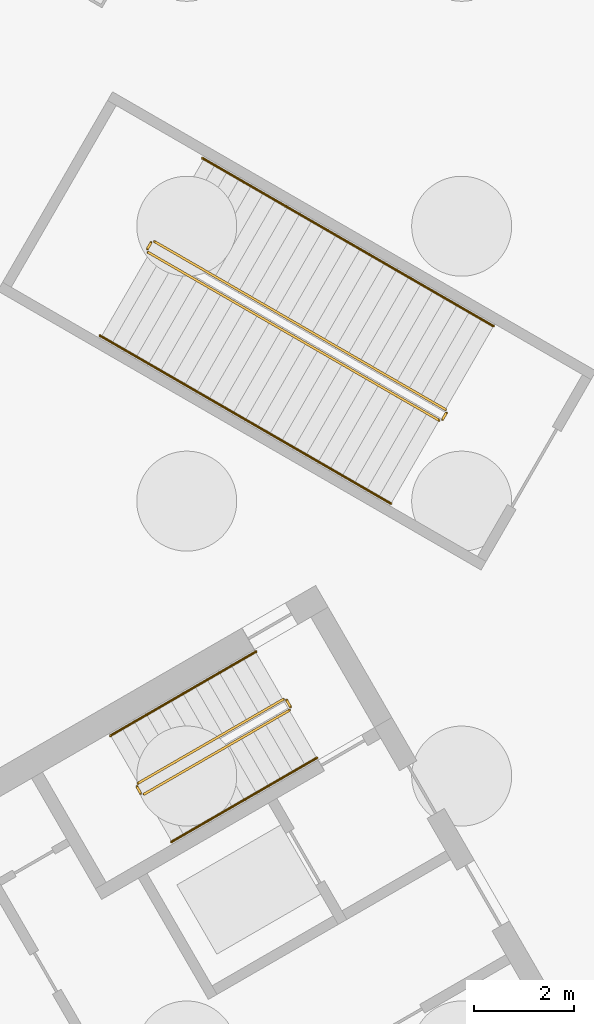
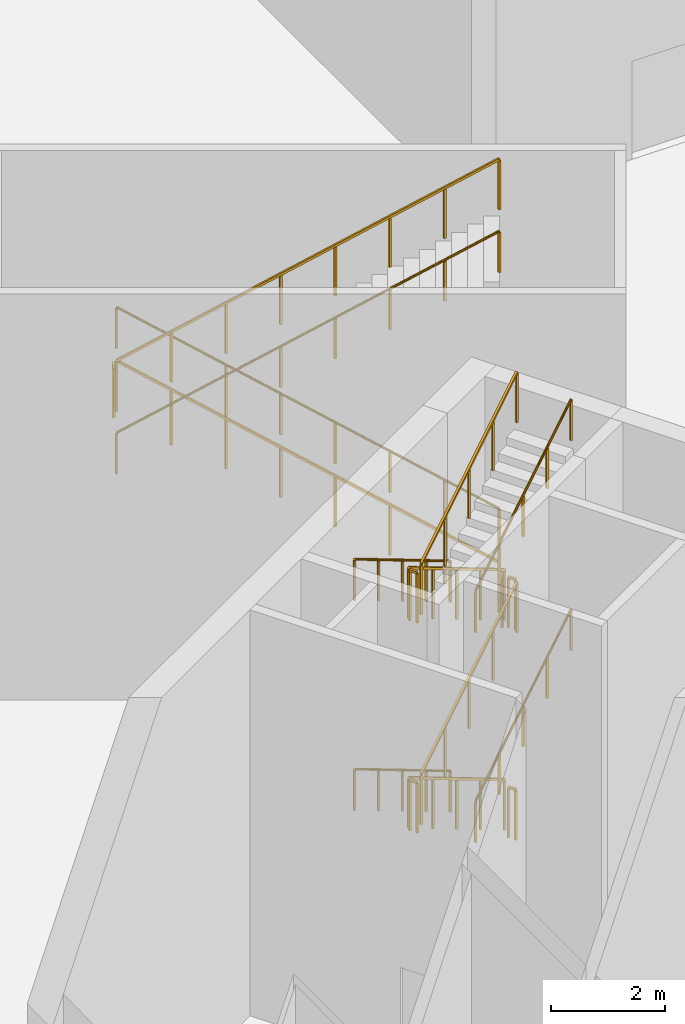
# One storey, part 7 of 10: 18 railings.
"""IFC4 building model written with IfcOpenShell, lengths in metres."""

from ifc_helpers import new_model, si_unit, direction, frame, origin, origin_2d, place, context, subcontext, project, spatial, rectangle, circle, extrude, material, type_object, element, save


model = new_model("IFC4")

# Units and contexts
model_context = context("Model", 3, precision=1e-05, world=origin(), true_north=direction((0.0, 1.0)))
body_context = subcontext(model_context, "Body", "Model", "MODEL_VIEW")
ifc_project = project(units=[si_unit("LENGTHUNIT", "METRE"), si_unit("AREAUNIT", "SQUARE_METRE"), si_unit("VOLUMEUNIT", "CUBIC_METRE"), si_unit("PLANEANGLEUNIT", "RADIAN"), si_unit("MASSUNIT", "GRAM", prefix="KILO")], contexts=[model_context])

# Site, building, storey
site_placement = place(None, origin())
site = spatial("IfcSite", under=ifc_project, at=site_placement, CompositionType="ELEMENT")
building_placement = place(site_placement, origin())
building = spatial("IfcBuilding", under=site, at=building_placement, Name="Apuvela Tower Hotel", CompositionType="ELEMENT")
storey_placement = place(building_placement, origin())
storey = spatial("IfcBuildingStorey", under=building, at=storey_placement, Name="L00", CompositionType="ELEMENT", Elevation=0.0)

# Railings
ifc_material_1 = material(Name="Steel S275 balustrade", Category="steel")
railing_type_1 = type_object("IfcRailingType", Name="COR-GUARD-1100", PredefinedType="GUARDRAIL", material=ifc_material_1)
railing_1_placement = place(storey_placement, frame((-14.569091796875, -3.9658203125, 0.173095703125)))
element("IfcRailing", 1, at=railing_1_placement, inside=storey, type_object=railing_type_1, Name="L00 ST2 stair guard 1", PredefinedType="GUARDRAIL", context=body_context, shape_type="SweptSolid", body=[
    extrude(rectangle(XDim=0.048095703125, YDim=0.048095703125, at=origin_2d()), frame((0.0, 0.0, 1.076171875), z_axis=(-0.736639687092, -0.425307743487, 0.525809180911), x_axis=(0.500007602105, -0.866021014662, 0.0)), (0.0, 0.0, 1.0), 3.949951171875),
    extrude(rectangle(XDim=0.0419921875, YDim=0.0419921875, at=origin_2d()), origin(), (0.0, 0.0, 1.0), 1.052001953125),
    extrude(rectangle(XDim=0.0419921875, YDim=0.0419921875, at=origin_2d()), frame((-0.7275390625, -0.419921875, 0.519287109375)), (0.0, 0.0, 1.0), 1.052001953125),
    extrude(rectangle(XDim=0.0419921875, YDim=0.0419921875, at=origin_2d()), frame((-1.454833984375, -0.83984375, 1.03857421875)), (0.0, 0.0, 1.0), 1.052001953125),
    extrude(rectangle(XDim=0.0419921875, YDim=0.0419921875, at=origin_2d()), frame((-2.18212890625, -1.260009765625, 1.5576171875)), (0.0, 0.0, 1.0), 1.052001953125),
    extrude(rectangle(XDim=0.0419921875, YDim=0.0419921875, at=origin_2d()), frame((-2.90966796875, -1.679931640625, 2.076904296875)), (0.0, 0.0, 1.0), 1.052001953125),
])
railing_2_placement = place(storey_placement, frame((-17.4970703125, -5.714111328125, 2.25)))
element("IfcRailing", 2, at=railing_2_placement, inside=storey, type_object=railing_type_1, Name="L00 ST2 stair guard 2", PredefinedType="GUARDRAIL", context=body_context, shape_type="SweptSolid", body=[
    extrude(rectangle(XDim=0.048095703125, YDim=0.048095703125, at=origin_2d()), frame((0.0, 0.0, 1.076171875), z_axis=(0.499816412211, -0.866131372301, 0.0), x_axis=(0.866131372301, 0.499816412211, 0.0)), (0.0, 0.0, 1.0), 0.14990234375),
    extrude(rectangle(XDim=0.0419921875, YDim=0.0419921875, at=origin_2d()), origin(), (0.0, 0.0, 1.0), 1.052001953125),
    extrude(rectangle(XDim=0.0419921875, YDim=0.0419921875, at=origin_2d()), frame((0.074951171875, -0.1298828125, 0.0)), (0.0, 0.0, 1.0), 1.052001953125),
])
railing_3_placement = place(storey_placement, frame((-17.353759765625, -5.8623046875, 2.423095703125)))
element("IfcRailing", 3, at=railing_3_placement, inside=storey, type_object=railing_type_1, Name="L00 ST2 stair guard 3", PredefinedType="GUARDRAIL", context=body_context, shape_type="SweptSolid", body=[
    extrude(rectangle(XDim=0.048095703125, YDim=0.048095703125, at=origin_2d()), frame((0.0, 0.0, 1.076171875), z_axis=(0.736639687092, 0.425307743487, 0.525809180911), x_axis=(-0.500007602105, 0.866021014662, 0.0)), (0.0, 0.0, 1.0), 3.949951171875),
    extrude(rectangle(XDim=0.0419921875, YDim=0.0419921875, at=origin_2d()), origin(), (0.0, 0.0, 1.0), 1.052001953125),
    extrude(rectangle(XDim=0.0419921875, YDim=0.0419921875, at=origin_2d()), frame((0.7275390625, 0.419921875, 0.519287109375)), (0.0, 0.0, 1.0), 1.052001953125),
    extrude(rectangle(XDim=0.0419921875, YDim=0.0419921875, at=origin_2d()), frame((1.454833984375, 0.83984375, 1.03857421875)), (0.0, 0.0, 1.0), 1.052001953125),
    extrude(rectangle(XDim=0.0419921875, YDim=0.0419921875, at=origin_2d()), frame((2.18212890625, 1.260009765625, 1.5576171875)), (0.0, 0.0, 1.0), 1.052001953125),
    extrude(rectangle(XDim=0.0419921875, YDim=0.0419921875, at=origin_2d()), frame((2.90966796875, 1.679931640625, 2.076904296875)), (0.0, 0.0, 1.0), 1.052001953125),
])
railing_4_placement = place(storey_placement, frame((-14.500732421875, -3.984130859375, 4.5)))
element("IfcRailing", 4, at=railing_4_placement, inside=storey, type_object=railing_type_1, Name="L00 ST2 stair guard 4", PredefinedType="GUARDRAIL", context=body_context, shape_type="SweptSolid", body=[
    extrude(rectangle(XDim=0.048095703125, YDim=0.048095703125, at=origin_2d()), frame((0.0, 0.0, 1.076171875), z_axis=(0.499816412211, -0.866131372301, 0.0), x_axis=(0.866131372301, 0.499816412211, 0.0)), (0.0, 0.0, 1.0), 0.14990234375),
    extrude(rectangle(XDim=0.0419921875, YDim=0.0419921875, at=origin_2d()), origin(), (0.0, 0.0, 1.0), 1.052001953125),
    extrude(rectangle(XDim=0.0419921875, YDim=0.0419921875, at=origin_2d()), frame((0.074951171875, -0.1298828125, 0.0)), (0.0, 0.0, 1.0), 1.052001953125),
])
railing_5_placement = place(storey_placement, frame((-14.569091796875, -3.9658203125, 4.673095703125)))
element("IfcRailing", 5, at=railing_5_placement, inside=storey, type_object=railing_type_1, Name="L00 ST2 stair guard 5", PredefinedType="GUARDRAIL", context=body_context, shape_type="SweptSolid", body=[
    extrude(rectangle(XDim=0.048095703125, YDim=0.048095703125, at=origin_2d()), frame((0.0, 0.0, 1.076171875), z_axis=(-0.736639687092, -0.425307743487, 0.525809180911), x_axis=(0.500007602105, -0.866021014662, 0.0)), (0.0, 0.0, 1.0), 3.949951171875),
    extrude(rectangle(XDim=0.0419921875, YDim=0.0419921875, at=origin_2d()), origin(), (0.0, 0.0, 1.0), 1.052001953125),
    extrude(rectangle(XDim=0.0419921875, YDim=0.0419921875, at=origin_2d()), frame((-0.7275390625, -0.419921875, 0.519287109375)), (0.0, 0.0, 1.0), 1.052001953125),
    extrude(rectangle(XDim=0.0419921875, YDim=0.0419921875, at=origin_2d()), frame((-1.454833984375, -0.83984375, 1.03857421875)), (0.0, 0.0, 1.0), 1.052001953125),
    extrude(rectangle(XDim=0.0419921875, YDim=0.0419921875, at=origin_2d()), frame((-2.18212890625, -1.260009765625, 1.5576171875)), (0.0, 0.0, 1.0), 1.052001953125),
    extrude(rectangle(XDim=0.0419921875, YDim=0.0419921875, at=origin_2d()), frame((-2.90966796875, -1.679931640625, 2.076904296875)), (0.0, 0.0, 1.0), 1.052001953125),
])
railing_6_placement = place(storey_placement, frame((-17.4970703125, -5.714111328125, 6.75)))
element("IfcRailing", 6, at=railing_6_placement, inside=storey, type_object=railing_type_1, Name="L00 ST2 stair guard 6", PredefinedType="GUARDRAIL", context=body_context, shape_type="SweptSolid", body=[
    extrude(rectangle(XDim=0.048095703125, YDim=0.048095703125, at=origin_2d()), frame((0.0, 0.0, 1.076171875), z_axis=(0.499816412211, -0.866131372301, 0.0), x_axis=(0.866131372301, 0.499816412211, 0.0)), (0.0, 0.0, 1.0), 0.14990234375),
    extrude(rectangle(XDim=0.0419921875, YDim=0.0419921875, at=origin_2d()), origin(), (0.0, 0.0, 1.0), 1.052001953125),
    extrude(rectangle(XDim=0.0419921875, YDim=0.0419921875, at=origin_2d()), frame((0.074951171875, -0.1298828125, 0.0)), (0.0, 0.0, 1.0), 1.052001953125),
])
railing_7_placement = place(storey_placement, frame((-17.353759765625, -5.8623046875, 6.923095703125)))
element("IfcRailing", 7, at=railing_7_placement, inside=storey, type_object=railing_type_1, Name="L00 ST2 stair guard 7", PredefinedType="GUARDRAIL", context=body_context, shape_type="SweptSolid", body=[
    extrude(rectangle(XDim=0.048095703125, YDim=0.048095703125, at=origin_2d()), frame((0.0, 0.0, 1.076171875), z_axis=(0.736639687092, 0.425307743487, 0.525809180911), x_axis=(-0.500007602105, 0.866021014662, 0.0)), (0.0, 0.0, 1.0), 3.949951171875),
    extrude(rectangle(XDim=0.0419921875, YDim=0.0419921875, at=origin_2d()), origin(), (0.0, 0.0, 1.0), 1.052001953125),
    extrude(rectangle(XDim=0.0419921875, YDim=0.0419921875, at=origin_2d()), frame((0.7275390625, 0.419921875, 0.519287109375)), (0.0, 0.0, 1.0), 1.052001953125),
    extrude(rectangle(XDim=0.0419921875, YDim=0.0419921875, at=origin_2d()), frame((1.454833984375, 0.83984375, 1.03857421875)), (0.0, 0.0, 1.0), 1.052001953125),
    extrude(rectangle(XDim=0.0419921875, YDim=0.0419921875, at=origin_2d()), frame((2.18212890625, 1.260009765625, 1.5576171875)), (0.0, 0.0, 1.0), 1.052001953125),
    extrude(rectangle(XDim=0.0419921875, YDim=0.0419921875, at=origin_2d()), frame((2.90966796875, 1.679931640625, 2.076904296875)), (0.0, 0.0, 1.0), 1.052001953125),
])
railing_8_placement = place(storey_placement, frame((-14.500732421875, -3.984130859375, 0.0)))
element("IfcRailing", 8, at=railing_8_placement, inside=storey, type_object=railing_type_1, Name="L00 ST2 stair guard 8", PredefinedType="GUARDRAIL", context=body_context, shape_type="SweptSolid", body=[
    extrude(rectangle(XDim=0.048095703125, YDim=0.048095703125, at=origin_2d()), frame((0.0, 0.0, 1.076171875), z_axis=(0.499816412211, -0.866131372301, 0.0), x_axis=(0.866131372301, 0.499816412211, 0.0)), (0.0, 0.0, 1.0), 0.14990234375),
    extrude(rectangle(XDim=0.0419921875, YDim=0.0419921875, at=origin_2d()), origin(), (0.0, 0.0, 1.0), 1.052001953125),
    extrude(rectangle(XDim=0.0419921875, YDim=0.0419921875, at=origin_2d()), frame((0.074951171875, -0.1298828125, 0.0)), (0.0, 0.0, 1.0), 1.052001953125),
])
ifc_material_2 = material(Name="Stainless steel 316 handrail", Category="steel")
railing_type_2 = type_object("IfcRailingType", Name="COR-HANDRAIL-900", PredefinedType="HANDRAIL", material=ifc_material_2)
railing_9_placement = place(storey_placement, frame((-15.118896484375, -3.01318359375, 0.173095703125)))
element("IfcRailing", 9, at=railing_9_placement, inside=storey, type_object=railing_type_2, Name="L00 ST2 stair handrail 1", PredefinedType="HANDRAIL", context=body_context, shape_type="SweptSolid", body=[
    extrude(circle(Radius=0.02392578125, at=origin_2d()), frame((0.0, 0.0, 0.8759765625), z_axis=(-0.736667954249, -0.425288379326, 0.525785240943), x_axis=(0.499976138585, -0.866039179741, 0.0)), (0.0, 0.0, 1.0), 3.9501953125),
    extrude(rectangle(XDim=0.0419921875, YDim=0.0419921875, at=origin_2d()), origin(), (0.0, 0.0, 1.0), 0.851806640625),
    extrude(rectangle(XDim=0.0419921875, YDim=0.0419921875, at=origin_2d()), frame((-0.7275390625, -0.419921875, 0.519287109375)), (0.0, 0.0, 1.0), 0.851806640625),
    extrude(rectangle(XDim=0.0419921875, YDim=0.0419921875, at=origin_2d()), frame((-1.455078125, -0.83984375, 1.03857421875)), (0.0, 0.0, 1.0), 0.851806640625),
    extrude(rectangle(XDim=0.0419921875, YDim=0.0419921875, at=origin_2d()), frame((-2.182373046875, -1.260009765625, 1.5576171875)), (0.0, 0.0, 1.0), 0.851806640625),
    extrude(rectangle(XDim=0.0419921875, YDim=0.0419921875, at=origin_2d()), frame((-2.909912109375, -1.679931640625, 2.076904296875)), (0.0, 0.0, 1.0), 0.851806640625),
])
railing_10_placement = place(storey_placement, frame((-16.8037109375, -6.81494140625, 2.423095703125)))
element("IfcRailing", 10, at=railing_10_placement, inside=storey, type_object=railing_type_2, Name="L00 ST2 stair handrail 2", PredefinedType="HANDRAIL", context=body_context, shape_type="SweptSolid", body=[
    extrude(circle(Radius=0.02392578125, at=origin_2d()), frame((0.0, 0.0, 0.8759765625), z_axis=(0.736639687092, 0.425307743487, 0.525809180911), x_axis=(-0.500007602105, 0.866021014662, 0.0)), (0.0, 0.0, 1.0), 3.949951171875),
    extrude(rectangle(XDim=0.0419921875, YDim=0.0419921875, at=origin_2d()), origin(), (0.0, 0.0, 1.0), 0.851806640625),
    extrude(rectangle(XDim=0.0419921875, YDim=0.0419921875, at=origin_2d()), frame((0.7275390625, 0.419921875, 0.519287109375)), (0.0, 0.0, 1.0), 0.851806640625),
    extrude(rectangle(XDim=0.0419921875, YDim=0.0419921875, at=origin_2d()), frame((1.454833984375, 0.83984375, 1.03857421875)), (0.0, 0.0, 1.0), 0.851806640625),
    extrude(rectangle(XDim=0.0419921875, YDim=0.0419921875, at=origin_2d()), frame((2.18212890625, 1.260009765625, 1.5576171875)), (0.0, 0.0, 1.0), 0.851806640625),
    extrude(rectangle(XDim=0.0419921875, YDim=0.0419921875, at=origin_2d()), frame((2.90966796875, 1.679931640625, 2.076904296875)), (0.0, 0.0, 1.0), 0.851806640625),
])
railing_11_placement = place(storey_placement, frame((-15.118896484375, -3.01318359375, 4.673095703125)))
element("IfcRailing", 11, at=railing_11_placement, inside=storey, type_object=railing_type_2, Name="L00 ST2 stair handrail 3", PredefinedType="HANDRAIL", context=body_context, shape_type="SweptSolid", body=[
    extrude(circle(Radius=0.02392578125, at=origin_2d()), frame((0.0, 0.0, 0.8759765625), z_axis=(-0.736667954249, -0.425288379326, 0.525785240943), x_axis=(0.499976138585, -0.866039179741, 0.0)), (0.0, 0.0, 1.0), 3.9501953125),
    extrude(rectangle(XDim=0.0419921875, YDim=0.0419921875, at=origin_2d()), origin(), (0.0, 0.0, 1.0), 0.851806640625),
    extrude(rectangle(XDim=0.0419921875, YDim=0.0419921875, at=origin_2d()), frame((-0.7275390625, -0.419921875, 0.519287109375)), (0.0, 0.0, 1.0), 0.851806640625),
    extrude(rectangle(XDim=0.0419921875, YDim=0.0419921875, at=origin_2d()), frame((-1.455078125, -0.83984375, 1.03857421875)), (0.0, 0.0, 1.0), 0.851806640625),
    extrude(rectangle(XDim=0.0419921875, YDim=0.0419921875, at=origin_2d()), frame((-2.182373046875, -1.260009765625, 1.5576171875)), (0.0, 0.0, 1.0), 0.851806640625),
    extrude(rectangle(XDim=0.0419921875, YDim=0.0419921875, at=origin_2d()), frame((-2.909912109375, -1.679931640625, 2.076904296875)), (0.0, 0.0, 1.0), 0.851806640625),
])
railing_12_placement = place(storey_placement, frame((-16.8037109375, -6.81494140625, 6.923095703125)))
element("IfcRailing", 12, at=railing_12_placement, inside=storey, type_object=railing_type_2, Name="L00 ST2 stair handrail 4", PredefinedType="HANDRAIL", context=body_context, shape_type="SweptSolid", body=[
    extrude(circle(Radius=0.02392578125, at=origin_2d()), frame((0.0, 0.0, 0.8759765625), z_axis=(0.736639687092, 0.425307743487, 0.525809180911), x_axis=(-0.500007602105, 0.866021014662, 0.0)), (0.0, 0.0, 1.0), 3.949951171875),
    extrude(rectangle(XDim=0.0419921875, YDim=0.0419921875, at=origin_2d()), origin(), (0.0, 0.0, 1.0), 0.851806640625),
    extrude(rectangle(XDim=0.0419921875, YDim=0.0419921875, at=origin_2d()), frame((0.7275390625, 0.419921875, 0.519287109375)), (0.0, 0.0, 1.0), 0.851806640625),
    extrude(rectangle(XDim=0.0419921875, YDim=0.0419921875, at=origin_2d()), frame((1.454833984375, 0.83984375, 1.03857421875)), (0.0, 0.0, 1.0), 0.851806640625),
    extrude(rectangle(XDim=0.0419921875, YDim=0.0419921875, at=origin_2d()), frame((2.18212890625, 1.260009765625, 1.5576171875)), (0.0, 0.0, 1.0), 0.851806640625),
    extrude(rectangle(XDim=0.0419921875, YDim=0.0419921875, at=origin_2d()), frame((2.90966796875, 1.679931640625, 2.076904296875)), (0.0, 0.0, 1.0), 0.851806640625),
])
ifc_material_3 = material(Name="Steel S355 guard with laminated glass infill", Category="steel")
railing_type_3 = type_object("IfcRailingType", Name="SPC-GUARD-1100", PredefinedType="GUARDRAIL", material=ifc_material_3)
railing_13_placement = place(storey_placement, frame((-11.32568359375, 1.83349609375, 0.179931640625)))
element("IfcRailing", 13, at=railing_13_placement, inside=storey, type_object=railing_type_3, Name="L00 PS2 stair guard 1", PredefinedType="GUARDRAIL", context=body_context, shape_type="SweptSolid", body=[
    extrude(rectangle(XDim=0.048095703125, YDim=0.048095703125, at=origin_2d()), frame((0.0, 0.0, 1.076171875), z_axis=(-0.728477301835, 0.420577447995, 0.540772993916), x_axis=(-0.499991869933, -0.86603009763, 0.0)), (0.0, 0.0, 1.0), 7.98876953125),
    extrude(rectangle(XDim=0.0419921875, YDim=0.0419921875, at=origin_2d()), origin(), (0.0, 0.0, 1.0), 1.052001953125),
    extrude(rectangle(XDim=0.0419921875, YDim=0.0419921875, at=origin_2d()), frame((-0.831298828125, 0.47998046875, 0.6171875)), (0.0, 0.0, 1.0), 1.052001953125),
    extrude(rectangle(XDim=0.0419921875, YDim=0.0419921875, at=origin_2d()), frame((-1.662841796875, 0.9599609375, 1.234375)), (0.0, 0.0, 1.0), 1.052001953125),
    extrude(rectangle(XDim=0.0419921875, YDim=0.0419921875, at=origin_2d()), frame((-2.494140625, 1.43994140625, 1.8515625)), (0.0, 0.0, 1.0), 1.052001953125),
    extrude(rectangle(XDim=0.0419921875, YDim=0.0419921875, at=origin_2d()), frame((-3.325439453125, 1.919921875, 2.468505859375)), (0.0, 0.0, 1.0), 1.052001953125),
    extrude(rectangle(XDim=0.0419921875, YDim=0.0419921875, at=origin_2d()), frame((-4.15673828125, 2.39990234375, 3.085693359375)), (0.0, 0.0, 1.0), 1.052001953125),
    extrude(rectangle(XDim=0.0419921875, YDim=0.0419921875, at=origin_2d()), frame((-4.98828125, 2.8798828125, 3.702880859375)), (0.0, 0.0, 1.0), 1.052001953125),
    extrude(rectangle(XDim=0.0419921875, YDim=0.0419921875, at=origin_2d()), frame((-5.819580078125, 3.35986328125, 4.320068359375)), (0.0, 0.0, 1.0), 1.052001953125),
])
railing_14_placement = place(storey_placement, frame((-17.213623046875, 5.175048828125, 4.5)))
element("IfcRailing", 14, at=railing_14_placement, inside=storey, type_object=railing_type_3, Name="L00 PS2 stair guard 2", PredefinedType="GUARDRAIL", context=body_context, shape_type="SweptSolid", body=[
    extrude(rectangle(XDim=0.048095703125, YDim=0.048095703125, at=origin_2d()), frame((0.0, 0.0, 1.076171875), z_axis=(-0.499816412211, -0.866131372301, 0.0), x_axis=(0.866131372301, -0.499816412211, 0.0)), (0.0, 0.0, 1.0), 0.14990234375),
    extrude(rectangle(XDim=0.0419921875, YDim=0.0419921875, at=origin_2d()), origin(), (0.0, 0.0, 1.0), 1.052001953125),
    extrude(rectangle(XDim=0.0419921875, YDim=0.0419921875, at=origin_2d()), frame((-0.074951171875, -0.1298828125, 0.0)), (0.0, 0.0, 1.0), 1.052001953125),
])
railing_15_placement = place(storey_placement, frame((-17.270263671875, 4.97705078125, 4.679931640625)))
element("IfcRailing", 15, at=railing_15_placement, inside=storey, type_object=railing_type_3, Name="L00 PS2 stair guard 3", PredefinedType="GUARDRAIL", context=body_context, shape_type="SweptSolid", body=[
    extrude(rectangle(XDim=0.048095703125, YDim=0.048095703125, at=origin_2d()), frame((0.0, 0.0, 1.076171875), z_axis=(0.72846793843, -0.420602602534, 0.540766043148), x_axis=(0.500019117989, 0.866014365727, 0.0)), (0.0, 0.0, 1.0), 7.98876953125),
    extrude(rectangle(XDim=0.0419921875, YDim=0.0419921875, at=origin_2d()), origin(), (0.0, 0.0, 1.0), 1.052001953125),
    extrude(rectangle(XDim=0.0419921875, YDim=0.0419921875, at=origin_2d()), frame((0.831298828125, -0.47998046875, 0.6171875)), (0.0, 0.0, 1.0), 1.052001953125),
    extrude(rectangle(XDim=0.0419921875, YDim=0.0419921875, at=origin_2d()), frame((1.662841796875, -0.9599609375, 1.234375)), (0.0, 0.0, 1.0), 1.052001953125),
    extrude(rectangle(XDim=0.0419921875, YDim=0.0419921875, at=origin_2d()), frame((2.494140625, -1.43994140625, 1.8515625)), (0.0, 0.0, 1.0), 1.052001953125),
    extrude(rectangle(XDim=0.0419921875, YDim=0.0419921875, at=origin_2d()), frame((3.325439453125, -1.920166015625, 2.468505859375)), (0.0, 0.0, 1.0), 1.052001953125),
    extrude(rectangle(XDim=0.0419921875, YDim=0.0419921875, at=origin_2d()), frame((4.15673828125, -2.400146484375, 3.085693359375)), (0.0, 0.0, 1.0), 1.052001953125),
    extrude(rectangle(XDim=0.0419921875, YDim=0.0419921875, at=origin_2d()), frame((4.98828125, -2.880126953125, 3.702880859375)), (0.0, 0.0, 1.0), 1.052001953125),
    extrude(rectangle(XDim=0.0419921875, YDim=0.0419921875, at=origin_2d()), frame((5.819580078125, -3.360107421875, 4.320068359375)), (0.0, 0.0, 1.0), 1.052001953125),
])
railing_16_placement = place(storey_placement, frame((-11.307373046875, 1.76513671875, 0.0)))
element("IfcRailing", 16, at=railing_16_placement, inside=storey, type_object=railing_type_3, Name="L00 PS2 stair guard 4", PredefinedType="GUARDRAIL", context=body_context, shape_type="SweptSolid", body=[
    extrude(rectangle(XDim=0.048095703125, YDim=0.048095703125, at=origin_2d()), frame((0.0, 0.0, 1.076171875), z_axis=(-0.499816412211, -0.866131372301, 0.0), x_axis=(0.866131372301, -0.499816412211, 0.0)), (0.0, 0.0, 1.0), 0.14990234375),
    extrude(rectangle(XDim=0.0419921875, YDim=0.0419921875, at=origin_2d()), origin(), (0.0, 0.0, 1.0), 1.052001953125),
    extrude(rectangle(XDim=0.0419921875, YDim=0.0419921875, at=origin_2d()), frame((-0.074951171875, -0.1298828125, 0.0)), (0.0, 0.0, 1.0), 1.052001953125),
])
ifc_material_4 = material(Name="Steel S355 tube handrail", Category="steel")
railing_type_4 = type_object("IfcRailingType", Name="SPC-HANDRAIL-900", PredefinedType="HANDRAIL", material=ifc_material_4)
railing_17_placement = place(storey_placement, frame((-10.363037109375, 3.50048828125, 0.179931640625)))
element("IfcRailing", 17, at=railing_17_placement, inside=storey, type_object=railing_type_4, Name="L00 PS2 stair handrail 1", PredefinedType="HANDRAIL", context=body_context, shape_type="SweptSolid", body=[
    extrude(circle(Radius=0.02392578125, at=origin_2d()), frame((0.0, 0.0, 0.8759765625), z_axis=(-0.728482280993, 0.420593239085, 0.540754004622), x_axis=(-0.500003386355, -0.866023448662, 0.0)), (0.0, 0.0, 1.0), 7.989013671875),
    extrude(rectangle(XDim=0.0419921875, YDim=0.0419921875, at=origin_2d()), origin(), (0.0, 0.0, 1.0), 0.851806640625),
    extrude(rectangle(XDim=0.0419921875, YDim=0.0419921875, at=origin_2d()), frame((-0.831298828125, 0.47998046875, 0.6171875)), (0.0, 0.0, 1.0), 0.851806640625),
    extrude(rectangle(XDim=0.0419921875, YDim=0.0419921875, at=origin_2d()), frame((-1.662841796875, 0.9599609375, 1.234375)), (0.0, 0.0, 1.0), 0.851806640625),
    extrude(rectangle(XDim=0.0419921875, YDim=0.0419921875, at=origin_2d()), frame((-2.494140625, 1.43994140625, 1.8515625)), (0.0, 0.0, 1.0), 0.851806640625),
    extrude(rectangle(XDim=0.0419921875, YDim=0.0419921875, at=origin_2d()), frame((-3.32568359375, 1.920166015625, 2.468505859375)), (0.0, 0.0, 1.0), 0.851806640625),
    extrude(rectangle(XDim=0.0419921875, YDim=0.0419921875, at=origin_2d()), frame((-4.156982421875, 2.400146484375, 3.085693359375)), (0.0, 0.0, 1.0), 0.851806640625),
    extrude(rectangle(XDim=0.0419921875, YDim=0.0419921875, at=origin_2d()), frame((-4.988525390625, 2.880126953125, 3.702880859375)), (0.0, 0.0, 1.0), 0.851806640625),
    extrude(rectangle(XDim=0.0419921875, YDim=0.0419921875, at=origin_2d()), frame((-5.81982421875, 3.360107421875, 4.320068359375)), (0.0, 0.0, 1.0), 0.851806640625),
])
railing_18_placement = place(storey_placement, frame((-18.23291015625, 3.309814453125, 4.679931640625)))
element("IfcRailing", 18, at=railing_18_placement, inside=storey, type_object=railing_type_4, Name="L00 PS2 stair handrail 2", PredefinedType="HANDRAIL", context=body_context, shape_type="SweptSolid", body=[
    extrude(circle(Radius=0.02392578125, at=origin_2d()), frame((0.0, 0.0, 0.8759765625), z_axis=(0.728491644166, -0.420568084865, 0.540760954926), x_axis=(0.499976138585, 0.866039179741, 0.0)), (0.0, 0.0, 1.0), 7.98876953125),
    extrude(rectangle(XDim=0.0419921875, YDim=0.0419921875, at=origin_2d()), origin(), (0.0, 0.0, 1.0), 0.851806640625),
    extrude(rectangle(XDim=0.0419921875, YDim=0.0419921875, at=origin_2d()), frame((0.831298828125, -0.47998046875, 0.6171875)), (0.0, 0.0, 1.0), 0.851806640625),
    extrude(rectangle(XDim=0.0419921875, YDim=0.0419921875, at=origin_2d()), frame((1.662841796875, -0.9599609375, 1.234375)), (0.0, 0.0, 1.0), 0.851806640625),
    extrude(rectangle(XDim=0.0419921875, YDim=0.0419921875, at=origin_2d()), frame((2.494140625, -1.43994140625, 1.8515625)), (0.0, 0.0, 1.0), 0.851806640625),
    extrude(rectangle(XDim=0.0419921875, YDim=0.0419921875, at=origin_2d()), frame((3.32568359375, -1.919921875, 2.468505859375)), (0.0, 0.0, 1.0), 0.851806640625),
    extrude(rectangle(XDim=0.0419921875, YDim=0.0419921875, at=origin_2d()), frame((4.156982421875, -2.39990234375, 3.085693359375)), (0.0, 0.0, 1.0), 0.851806640625),
    extrude(rectangle(XDim=0.0419921875, YDim=0.0419921875, at=origin_2d()), frame((4.988525390625, -2.8798828125, 3.702880859375)), (0.0, 0.0, 1.0), 0.851806640625),
    extrude(rectangle(XDim=0.0419921875, YDim=0.0419921875, at=origin_2d()), frame((5.81982421875, -3.35986328125, 4.320068359375)), (0.0, 0.0, 1.0), 0.851806640625),
])

save(model, "model.ifc")
